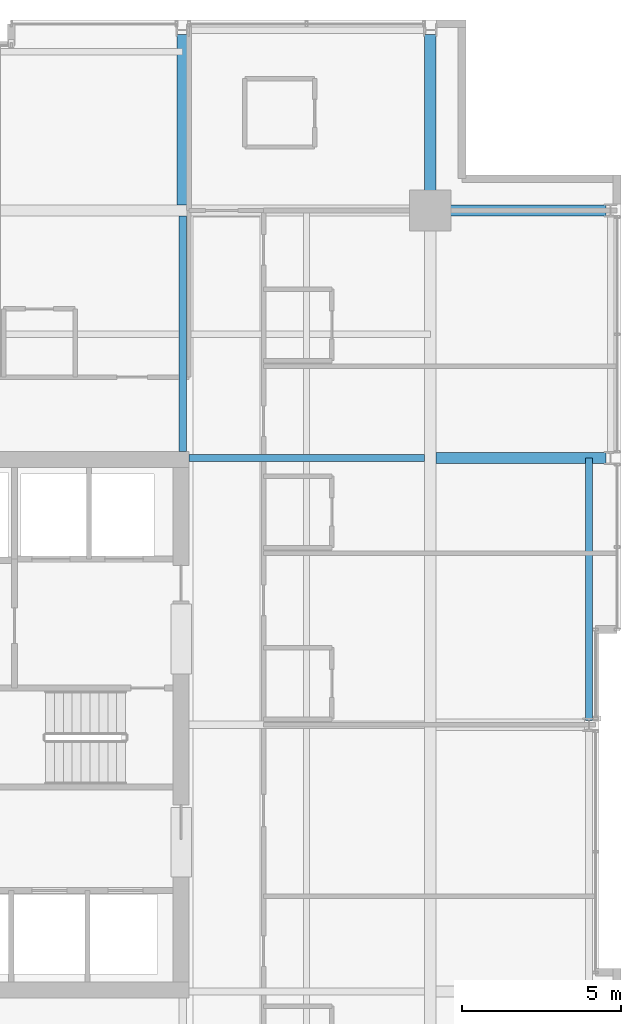
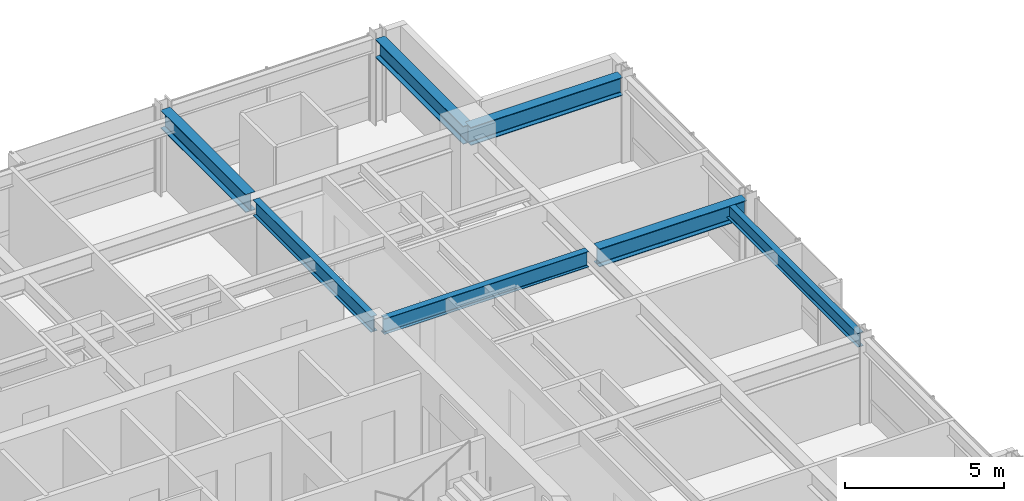
# One storey, part 22 of 33: 7 beams.
"""IFC4 building model written with IfcOpenShell, lengths in metres."""

from ifc_helpers import new_model, si_unit, direction, frame, origin, origin_2d, place, context, subcontext, project, spatial, i_section, extrude, material, material_profile, profile_set, type_object, element, save


model = new_model("IFC4")

# Units and contexts
model_context = context("Model", 3, precision=1e-05, world=origin(), true_north=direction((0.0, 1.0)))
body_context = subcontext(model_context, "Body", "Model", "MODEL_VIEW")
ifc_project = project(units=[si_unit("LENGTHUNIT", "METRE"), si_unit("AREAUNIT", "SQUARE_METRE"), si_unit("VOLUMEUNIT", "CUBIC_METRE"), si_unit("PLANEANGLEUNIT", "RADIAN"), si_unit("MASSUNIT", "GRAM", prefix="KILO")], contexts=[model_context])

# Site, building, storey
site_placement = place(None, origin())
site = spatial("IfcSite", under=ifc_project, at=site_placement, CompositionType="ELEMENT")
building_placement = place(site_placement, origin())
building = spatial("IfcBuilding", under=site, at=building_placement, Name="Drelvath Grand Hotel", CompositionType="ELEMENT")
storey_placement = place(building_placement, frame((0.0, 0.0, 153.949951171875)))
storey = spatial("IfcBuildingStorey", under=building, at=storey_placement, Name="L39", CompositionType="ELEMENT", Elevation=153.949951171875)

# Beams
ifc_material = material(Name="Steel ASTM A992 Gr 50", Category="steel")
ifc_material_profile_1 = material_profile(ifc_material, i_section(OverallWidth=0.210205078125, OverallDepth=0.53662109375, WebThickness=0.010986328125, FlangeThickness=0.017333984375, FilletRadius=0.01806640625, at=origin_2d()), Name="W21X68")
ifc_profile_set_1 = profile_set([ifc_material_profile_1], Name="Steel ASTM A992 Gr 50")
beam_type_1 = type_object("IfcBeamType", Name="Perimeter Spandrel Beam W21X68", PredefinedType="SPANDREL", material=ifc_profile_set_1)
beam_1_placement = place(storey_placement, frame((21.199951171875, 27.139892578125, 3.021728515625), z_axis=(0.0, 1.0, 0.0), x_axis=(-1.0, 0.0, 0.0)))
element("IfcBeam", 1, at=beam_1_placement, inside=storey, type_object=beam_type_1, Name="L39 Spandrel East Mid N", PredefinedType="SPANDREL", context=body_context, shape_type="SweptSolid", body=[
    extrude(i_section(OverallWidth=0.210205078125, OverallDepth=0.53662109375, WebThickness=0.010986328125, FlangeThickness=0.017333984375, FilletRadius=0.01806640625, at=origin_2d()), origin(), (0.0, 0.0, 1.0), 8.260009765625),
])
ifc_material_profile_2 = material_profile(ifc_material, i_section(OverallWidth=0.228271484375, OverallDepth=0.607666015625, WebThickness=0.01123046875, FlangeThickness=0.017333984375, FilletRadius=0.02001953125, at=origin_2d()), Name="W24X76")
ifc_profile_set_2 = profile_set([ifc_material_profile_2], Name="Steel ASTM A992 Gr 50")
beam_type_2 = type_object("IfcBeamType", Name="Primary Floor Girder W24X76", PredefinedType="BEAM", material=ifc_profile_set_2)
for number, where, z_axis, x_axis, name in (
    (2, (8.60009765625, 35.39990234375, 2.986328125), (1.0, 0.0, 0.0), (0.0, 1.0, 0.0), "L39 East Core Tie F"),
    (3, (8.39990234375, 35.60009765625, 2.986328125), (0.0, 1.0, 0.0), (-1.0, 0.0, 0.0), "L39 North Core Tie 6"),
):
    element("IfcBeam", number, at=place(storey_placement, frame(where, z_axis=z_axis, x_axis=x_axis)), inside=storey, type_object=beam_type_2, Name=name, PredefinedType="BEAM", context=body_context, shape_type="SweptSolid", body=[
        extrude(i_section(OverallWidth=0.228271484375, OverallDepth=0.607666015625, WebThickness=0.01123046875, FlangeThickness=0.017333984375, FilletRadius=0.02001953125, at=origin_2d()), origin(), (0.0, 0.0, 1.0), 7.422607421875),
    ])
ifc_material_profile_3 = material_profile(ifc_material, i_section(OverallWidth=0.354736328125, OverallDepth=0.695556640625, WebThickness=0.015380859375, FlangeThickness=0.025146484375, FilletRadius=0.02392578125, at=origin_2d()), Name="W27X146")
ifc_profile_set_3 = profile_set([ifc_material_profile_3], Name="Steel ASTM A992 Gr 50")
beam_type_3 = type_object("IfcBeamType", Name="Primary Floor Girder W27X146", PredefinedType="BEAM", material=ifc_profile_set_3)
beam_2_placement = place(storey_placement, frame((16.199951171875, 43.199951171875, 2.9423828125), z_axis=(1.0, 0.0, 0.0), x_axis=(0.0, 1.0, 0.0)))
element("IfcBeam", 4, at=beam_2_placement, inside=storey, type_object=beam_type_3, Name="L39 East Grid Girder G", PredefinedType="BEAM", context=body_context, shape_type="SweptSolid", body=[
    extrude(i_section(OverallWidth=0.354736328125, OverallDepth=0.695556640625, WebThickness=0.015380859375, FlangeThickness=0.025146484375, FilletRadius=0.02392578125, at=origin_2d()), origin(), (0.0, 0.0, 1.0), 5.5400390625),
])
beam_3_placement = place(storey_placement, frame((16.37744140625, 35.39990234375, 2.9423828125), z_axis=(1.0, 0.0, 0.0), x_axis=(0.0, 1.0, 0.0)))
element("IfcBeam", 5, at=beam_3_placement, inside=storey, type_object=beam_type_3, Name="L39 East Wing Girder F", PredefinedType="BEAM", context=body_context, shape_type="SweptSolid", body=[
    extrude(i_section(OverallWidth=0.354736328125, OverallDepth=0.695556640625, WebThickness=0.015380859375, FlangeThickness=0.025146484375, FilletRadius=0.02392578125, at=origin_2d()), origin(), (0.0, 0.0, 1.0), 5.362548828125),
])
beam_4_placement = place(storey_placement, frame((16.199951171875, 43.199951171875, 2.9423828125), z_axis=(0.0, 1.0, 0.0), x_axis=(-1.0, 0.0, 0.0)))
element("IfcBeam", 6, at=beam_4_placement, inside=storey, type_object=beam_type_3, Name="L39 North Grid Girder 7", PredefinedType="BEAM", context=body_context, shape_type="SweptSolid", body=[
    extrude(i_section(OverallWidth=0.354736328125, OverallDepth=0.695556640625, WebThickness=0.015380859375, FlangeThickness=0.025146484375, FilletRadius=0.02392578125, at=origin_2d()), origin(), (0.0, 0.0, 1.0), 5.5400390625),
])
beam_5_placement = place(storey_placement, frame((8.39990234375, 43.37744140625, 2.9423828125), z_axis=(0.0, 1.0, 0.0), x_axis=(-1.0, 0.0, 0.0)))
element("IfcBeam", 7, at=beam_5_placement, inside=storey, type_object=beam_type_3, Name="L39 North Wing Girder 6", PredefinedType="BEAM", context=body_context, shape_type="SweptSolid", body=[
    extrude(i_section(OverallWidth=0.354736328125, OverallDepth=0.695556640625, WebThickness=0.015380859375, FlangeThickness=0.025146484375, FilletRadius=0.02392578125, at=origin_2d()), origin(), (0.0, 0.0, 1.0), 5.362548828125),
])

save(model, "model.ifc")
